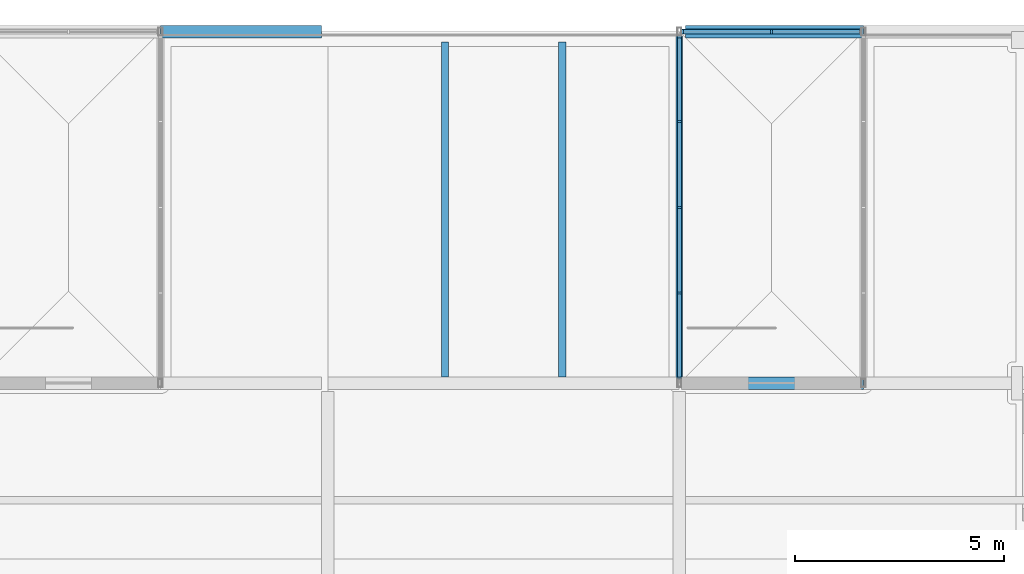
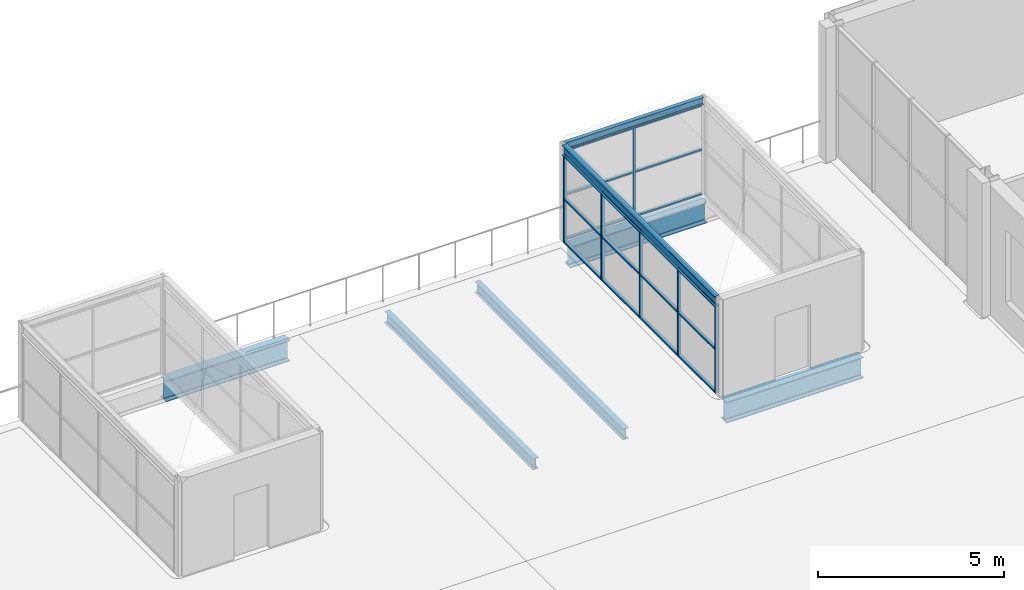
# One storey, part 29 of 58: 25 members, 7 beams, 2 elements without a shape of their own.
"""IFC4 building model written with IfcOpenShell, lengths in metres."""

from ifc_helpers import new_model, si_unit, direction, frame, origin, origin_2d, place, context, subcontext, project, spatial, rectangle, i_section, extrude, material, layer, layer_set, material_profile, profile_set, type_object, element, aggregate, save


model = new_model("IFC4")

# Units and contexts
model_context = context("Model", 3, precision=1e-05, world=origin(), true_north=direction((0.0, 1.0)))
body_context = subcontext(model_context, "Body", "Model", "MODEL_VIEW")
ifc_project = project(units=[si_unit("LENGTHUNIT", "METRE"), si_unit("AREAUNIT", "SQUARE_METRE"), si_unit("VOLUMEUNIT", "CUBIC_METRE"), si_unit("PLANEANGLEUNIT", "RADIAN"), si_unit("MASSUNIT", "GRAM", prefix="KILO")], contexts=[model_context])

# Site, building, storey
site_placement = place(None, origin())
site = spatial("IfcSite", under=ifc_project, at=site_placement, CompositionType="ELEMENT")
building_placement = place(site_placement, origin())
building = spatial("IfcBuilding", under=site, at=building_placement, Name="Galleria Vessillo Department Store", CompositionType="ELEMENT")
storey_placement = place(building_placement, frame((0.0, 0.0, 31.199951171875)))
storey = spatial("IfcBuildingStorey", under=building, at=storey_placement, Name="L06", CompositionType="ELEMENT", Elevation=31.199951171875)

# Curtain wall, members
ifc_material_1 = material(Name="Aluminium and glass curtain wall", Category="aluminium")
ifc_layer = layer(ifc_material_1, 0.10009765625)
ifc_layer_set = layer_set([ifc_layer], Name="Aluminium and glass curtain wall")
curtain_wall_type = type_object("IfcCurtainWallType", Name="Pavilion curtain wall CW5 2100 module", PredefinedType="NOTDEFINED", material=ifc_layer_set)
curtain_wall_1_placement = place(storey_placement, origin())
curtain_wall_1 = element("IfcCurtainWall", 1, at=curtain_wall_1_placement, inside=storey, type_object=curtain_wall_type, Name="Pavilion curtain wall CW5 2100 module PV-ST6-A", PredefinedType="NOTDEFINED")
ifc_material_2 = material(Name="Aluminium alloy 6063 T6", Category="aluminium")
ifc_material_profile_1 = material_profile(ifc_material_2, rectangle(XDim=0.10009765625, YDim=0.050048828125, at=origin_2d()), Name="AL 50x100")
ifc_profile_set_1 = profile_set([ifc_material_profile_1], Name="Aluminium alloy 6063 T6")
member_type_1 = type_object("IfcMemberType", Name="Aluminium mullion 50 x 100", PredefinedType="MULLION", material=ifc_profile_set_1)
member_1_placement = place(storey_placement, frame((75.60009765625, 54.72509765625, 0.0), z_axis=(0.0, 0.0, 1.0), x_axis=(-1.0, 0.0, 0.0)))
member_1 = element("IfcMember", 2, at=member_1_placement, type_object=member_type_1, Name="CW5 mullion 1", PredefinedType="MULLION", context=body_context, shape_type="SweptSolid", body=[
    extrude(rectangle(XDim=0.10009765625, YDim=0.050048828125, at=origin_2d()), origin(), (0.0, 0.0, 1.0), 2.8701171875),
])
member_2_placement = place(storey_placement, frame((75.60009765625, 56.75, 0.0), z_axis=(0.0, 0.0, 1.0), x_axis=(-1.0, 0.0, 0.0)))
member_2 = element("IfcMember", 3, at=member_2_placement, type_object=member_type_1, Name="CW5 mullion 2", PredefinedType="MULLION", context=body_context, shape_type="SweptSolid", body=[
    extrude(rectangle(XDim=0.10009765625, YDim=0.050048828125, at=origin_2d()), origin(), (0.0, 0.0, 1.0), 2.8701171875),
])
member_3_placement = place(storey_placement, frame((75.60009765625, 58.800048828125, 0.0), z_axis=(0.0, 0.0, 1.0), x_axis=(-1.0, 0.0, 0.0)))
member_3 = element("IfcMember", 4, at=member_3_placement, type_object=member_type_1, Name="CW5 mullion 3", PredefinedType="MULLION", context=body_context, shape_type="SweptSolid", body=[
    extrude(rectangle(XDim=0.10009765625, YDim=0.050048828125, at=origin_2d()), origin(), (0.0, 0.0, 1.0), 2.8701171875),
])
member_4_placement = place(storey_placement, frame((75.60009765625, 60.85009765625, 0.0), z_axis=(0.0, 0.0, 1.0), x_axis=(-1.0, 0.0, 0.0)))
member_4 = element("IfcMember", 5, at=member_4_placement, type_object=member_type_1, Name="CW5 mullion 4", PredefinedType="MULLION", context=body_context, shape_type="SweptSolid", body=[
    extrude(rectangle(XDim=0.10009765625, YDim=0.050048828125, at=origin_2d()), origin(), (0.0, 0.0, 1.0), 2.8701171875),
])
member_5_placement = place(storey_placement, frame((75.60009765625, 62.875, 0.0), z_axis=(0.0, 0.0, 1.0), x_axis=(-1.0, 0.0, 0.0)))
member_5 = element("IfcMember", 6, at=member_5_placement, type_object=member_type_1, Name="CW5 mullion 5", PredefinedType="MULLION", context=body_context, shape_type="SweptSolid", body=[
    extrude(rectangle(XDim=0.10009765625, YDim=0.050048828125, at=origin_2d()), origin(), (0.0, 0.0, 1.0), 2.8701171875),
])

curtain_wall_2_placement = place(storey_placement, origin())
curtain_wall_2 = element("IfcCurtainWall", 7, at=curtain_wall_2_placement, inside=storey, type_object=curtain_wall_type, Name="Pavilion curtain wall CW5 2100 module PV-ST6-F", PredefinedType="NOTDEFINED")
member_6_placement = place(storey_placement, frame((75.675048828125, 63.0, 0.0), z_axis=(0.0, 0.0, 1.0), x_axis=(0.0, 1.0, 0.0)))
member_6 = element("IfcMember", 8, at=member_6_placement, type_object=member_type_1, Name="CW5 mullion 1", PredefinedType="MULLION", context=body_context, shape_type="SweptSolid", body=[
    extrude(rectangle(XDim=0.10009765625, YDim=0.050048828125, at=origin_2d()), origin(), (0.0, 0.0, 1.0), 2.960205078125),
])
member_7_placement = place(storey_placement, frame((77.800048828125, 63.0, 0.0), z_axis=(0.0, 0.0, 1.0), x_axis=(0.0, 1.0, 0.0)))
member_7 = element("IfcMember", 9, at=member_7_placement, type_object=member_type_1, Name="CW5 mullion 2", PredefinedType="MULLION", context=body_context, shape_type="SweptSolid", body=[
    extrude(rectangle(XDim=0.10009765625, YDim=0.050048828125, at=origin_2d()), origin(), (0.0, 0.0, 1.0), 2.960205078125),
])

# Member
ifc_material_3 = material(Name="Aluminium alloy 6063 T6", Category="aluminium")
ifc_material_profile_2 = material_profile(ifc_material_3, rectangle(XDim=0.10009765625, YDim=0.050048828125, at=origin_2d()), Name="AL 50x100")
ifc_profile_set_2 = profile_set([ifc_material_profile_2], Name="Aluminium alloy 6063 T6")
member_type_2 = type_object("IfcMemberType", Name="Aluminium transom 50 x 100", PredefinedType="USERDEFINED", material=ifc_profile_set_2)
member_8_placement = place(storey_placement, frame((75.60009765625, 54.75, 0.025146484375), z_axis=(0.0, 1.0, 0.0), x_axis=(-1.0, 0.0, 0.0)))
member_8 = element("IfcMember", 10, at=member_8_placement, type_object=member_type_2, Name="CW5 transom 1.1", ObjectType="TRANSOM", PredefinedType="USERDEFINED", context=body_context, shape_type="SweptSolid", body=[
    extrude(rectangle(XDim=0.10009765625, YDim=0.050048828125, at=origin_2d()), origin(), (0.0, 0.0, 1.0), 1.97509765625),
])

member_9_placement = place(storey_placement, frame((75.60009765625, 54.75, 1.43505859375), z_axis=(0.0, 1.0, 0.0), x_axis=(-1.0, 0.0, 0.0)))
member_9 = element("IfcMember", 11, at=member_9_placement, type_object=member_type_2, Name="CW5 transom 1.2", ObjectType="TRANSOM", PredefinedType="USERDEFINED", context=body_context, shape_type="SweptSolid", body=[
    extrude(rectangle(XDim=0.10009765625, YDim=0.050048828125, at=origin_2d()), origin(), (0.0, 0.0, 1.0), 1.97509765625),
])

member_10_placement = place(storey_placement, frame((75.60009765625, 54.75, 2.84521484375), z_axis=(0.0, 1.0, 0.0), x_axis=(-1.0, 0.0, 0.0)))
member_10 = element("IfcMember", 12, at=member_10_placement, type_object=member_type_2, Name="CW5 transom 1.3", ObjectType="TRANSOM", PredefinedType="USERDEFINED", context=body_context, shape_type="SweptSolid", body=[
    extrude(rectangle(XDim=0.10009765625, YDim=0.050048828125, at=origin_2d()), origin(), (0.0, 0.0, 1.0), 1.97509765625),
])

member_11_placement = place(storey_placement, frame((75.60009765625, 56.775146484375, 0.025146484375), z_axis=(0.0, 1.0, 0.0), x_axis=(-1.0, 0.0, 0.0)))
member_11 = element("IfcMember", 13, at=member_11_placement, type_object=member_type_2, Name="CW5 transom 2.1", ObjectType="TRANSOM", PredefinedType="USERDEFINED", context=body_context, shape_type="SweptSolid", body=[
    extrude(rectangle(XDim=0.10009765625, YDim=0.050048828125, at=origin_2d()), origin(), (0.0, 0.0, 1.0), 2.0),
])

member_12_placement = place(storey_placement, frame((75.60009765625, 56.775146484375, 1.43505859375), z_axis=(0.0, 1.0, 0.0), x_axis=(-1.0, 0.0, 0.0)))
member_12 = element("IfcMember", 14, at=member_12_placement, type_object=member_type_2, Name="CW5 transom 2.2", ObjectType="TRANSOM", PredefinedType="USERDEFINED", context=body_context, shape_type="SweptSolid", body=[
    extrude(rectangle(XDim=0.10009765625, YDim=0.050048828125, at=origin_2d()), origin(), (0.0, 0.0, 1.0), 2.0),
])

member_13_placement = place(storey_placement, frame((75.60009765625, 56.775146484375, 2.84521484375), z_axis=(0.0, 1.0, 0.0), x_axis=(-1.0, 0.0, 0.0)))
member_13 = element("IfcMember", 15, at=member_13_placement, type_object=member_type_2, Name="CW5 transom 2.3", ObjectType="TRANSOM", PredefinedType="USERDEFINED", context=body_context, shape_type="SweptSolid", body=[
    extrude(rectangle(XDim=0.10009765625, YDim=0.050048828125, at=origin_2d()), origin(), (0.0, 0.0, 1.0), 2.0),
])

member_14_placement = place(storey_placement, frame((75.60009765625, 58.824951171875, 0.025146484375), z_axis=(0.0, 1.0, 0.0), x_axis=(-1.0, 0.0, 0.0)))
member_14 = element("IfcMember", 16, at=member_14_placement, type_object=member_type_2, Name="CW5 transom 3.1", ObjectType="TRANSOM", PredefinedType="USERDEFINED", context=body_context, shape_type="SweptSolid", body=[
    extrude(rectangle(XDim=0.10009765625, YDim=0.050048828125, at=origin_2d()), origin(), (0.0, 0.0, 1.0), 2.0),
])

member_15_placement = place(storey_placement, frame((75.60009765625, 58.824951171875, 1.43505859375), z_axis=(0.0, 1.0, 0.0), x_axis=(-1.0, 0.0, 0.0)))
member_15 = element("IfcMember", 17, at=member_15_placement, type_object=member_type_2, Name="CW5 transom 3.2", ObjectType="TRANSOM", PredefinedType="USERDEFINED", context=body_context, shape_type="SweptSolid", body=[
    extrude(rectangle(XDim=0.10009765625, YDim=0.050048828125, at=origin_2d()), origin(), (0.0, 0.0, 1.0), 2.0),
])

member_16_placement = place(storey_placement, frame((75.60009765625, 58.824951171875, 2.84521484375), z_axis=(0.0, 1.0, 0.0), x_axis=(-1.0, 0.0, 0.0)))
member_16 = element("IfcMember", 18, at=member_16_placement, type_object=member_type_2, Name="CW5 transom 3.3", ObjectType="TRANSOM", PredefinedType="USERDEFINED", context=body_context, shape_type="SweptSolid", body=[
    extrude(rectangle(XDim=0.10009765625, YDim=0.050048828125, at=origin_2d()), origin(), (0.0, 0.0, 1.0), 2.0),
])

member_17_placement = place(storey_placement, frame((75.60009765625, 60.875, 0.025146484375), z_axis=(0.0, 1.0, 0.0), x_axis=(-1.0, 0.0, 0.0)))
member_17 = element("IfcMember", 19, at=member_17_placement, type_object=member_type_2, Name="CW5 transom 4.1", ObjectType="TRANSOM", PredefinedType="USERDEFINED", context=body_context, shape_type="SweptSolid", body=[
    extrude(rectangle(XDim=0.10009765625, YDim=0.050048828125, at=origin_2d()), origin(), (0.0, 0.0, 1.0), 1.97509765625),
])

member_18_placement = place(storey_placement, frame((75.60009765625, 60.875, 1.43505859375), z_axis=(0.0, 1.0, 0.0), x_axis=(-1.0, 0.0, 0.0)))
member_18 = element("IfcMember", 20, at=member_18_placement, type_object=member_type_2, Name="CW5 transom 4.2", ObjectType="TRANSOM", PredefinedType="USERDEFINED", context=body_context, shape_type="SweptSolid", body=[
    extrude(rectangle(XDim=0.10009765625, YDim=0.050048828125, at=origin_2d()), origin(), (0.0, 0.0, 1.0), 1.97509765625),
])

member_19_placement = place(storey_placement, frame((75.60009765625, 60.875, 2.84521484375), z_axis=(0.0, 1.0, 0.0), x_axis=(-1.0, 0.0, 0.0)))
member_19 = element("IfcMember", 21, at=member_19_placement, type_object=member_type_2, Name="CW5 transom 4.3", ObjectType="TRANSOM", PredefinedType="USERDEFINED", context=body_context, shape_type="SweptSolid", body=[
    extrude(rectangle(XDim=0.10009765625, YDim=0.050048828125, at=origin_2d()), origin(), (0.0, 0.0, 1.0), 1.97509765625),
])

aggregate(curtain_wall_1, [member_1, member_2, member_3, member_4, member_5, member_8, member_9, member_10, member_11, member_12, member_13, member_14, member_15, member_16, member_17, member_18, member_19])

member_20_placement = place(storey_placement, frame((75.7001953125, 63.0, 0.025146484375), z_axis=(1.0, 0.0, 0.0), x_axis=(0.0, 1.0, 0.0)))
member_20 = element("IfcMember", 22, at=member_20_placement, type_object=member_type_2, Name="CW5 transom 1.1", ObjectType="TRANSOM", PredefinedType="USERDEFINED", context=body_context, shape_type="SweptSolid", body=[
    extrude(rectangle(XDim=0.10009765625, YDim=0.050048828125, at=origin_2d()), origin(), (0.0, 0.0, 1.0), 2.074951171875),
])

member_21_placement = place(storey_placement, frame((75.7001953125, 63.0, 1.480224609375), z_axis=(1.0, 0.0, 0.0), x_axis=(0.0, 1.0, 0.0)))
member_21 = element("IfcMember", 23, at=member_21_placement, type_object=member_type_2, Name="CW5 transom 1.2", ObjectType="TRANSOM", PredefinedType="USERDEFINED", context=body_context, shape_type="SweptSolid", body=[
    extrude(rectangle(XDim=0.10009765625, YDim=0.050048828125, at=origin_2d()), origin(), (0.0, 0.0, 1.0), 2.074951171875),
])

member_22_placement = place(storey_placement, frame((75.7001953125, 63.0, 2.935302734375), z_axis=(1.0, 0.0, 0.0), x_axis=(0.0, 1.0, 0.0)))
member_22 = element("IfcMember", 24, at=member_22_placement, type_object=member_type_2, Name="CW5 transom 1.3", ObjectType="TRANSOM", PredefinedType="USERDEFINED", context=body_context, shape_type="SweptSolid", body=[
    extrude(rectangle(XDim=0.10009765625, YDim=0.050048828125, at=origin_2d()), origin(), (0.0, 0.0, 1.0), 2.074951171875),
])

member_23_placement = place(storey_placement, frame((77.824951171875, 63.0, 0.025146484375), z_axis=(1.0, 0.0, 0.0), x_axis=(0.0, 1.0, 0.0)))
member_23 = element("IfcMember", 25, at=member_23_placement, type_object=member_type_2, Name="CW5 transom 2.1", ObjectType="TRANSOM", PredefinedType="USERDEFINED", context=body_context, shape_type="SweptSolid", body=[
    extrude(rectangle(XDim=0.10009765625, YDim=0.050048828125, at=origin_2d()), origin(), (0.0, 0.0, 1.0), 2.074951171875),
])

member_24_placement = place(storey_placement, frame((77.824951171875, 63.0, 1.480224609375), z_axis=(1.0, 0.0, 0.0), x_axis=(0.0, 1.0, 0.0)))
member_24 = element("IfcMember", 26, at=member_24_placement, type_object=member_type_2, Name="CW5 transom 2.2", ObjectType="TRANSOM", PredefinedType="USERDEFINED", context=body_context, shape_type="SweptSolid", body=[
    extrude(rectangle(XDim=0.10009765625, YDim=0.050048828125, at=origin_2d()), origin(), (0.0, 0.0, 1.0), 2.074951171875),
])

member_25_placement = place(storey_placement, frame((77.824951171875, 63.0, 2.935302734375), z_axis=(1.0, 0.0, 0.0), x_axis=(0.0, 1.0, 0.0)))
member_25 = element("IfcMember", 27, at=member_25_placement, type_object=member_type_2, Name="CW5 transom 2.3", ObjectType="TRANSOM", PredefinedType="USERDEFINED", context=body_context, shape_type="SweptSolid", body=[
    extrude(rectangle(XDim=0.10009765625, YDim=0.050048828125, at=origin_2d()), origin(), (0.0, 0.0, 1.0), 2.074951171875),
])

aggregate(curtain_wall_2, [member_6, member_7, member_20, member_21, member_22, member_23, member_24, member_25])

# Beams
ifc_material_4 = material(Name="Steel S355 J2", Category="steel")
ifc_material_profile_3 = material_profile(ifc_material_4, i_section(OverallWidth=0.169921875, OverallDepth=0.360107421875, WebThickness=0.008056640625, FlangeThickness=0.0126953125, FilletRadius=0.01806640625, at=origin_2d()), Name="IPE 360")
ifc_profile_set_3 = profile_set([ifc_material_profile_3], Name="Steel S355 J2")
beam_type_1 = type_object("IfcBeamType", Name="Floor joist IPE 360", PredefinedType="JOIST", material=ifc_profile_set_3)
for number, where, z_axis, x_axis, name in (
    (28, (70.0, 54.750244140625, -0.3798828125), (0.0, 1.0, 0.0), (-1.0, 0.0, 0.0), "S-BM-L06-JO-y70000-54750"),
    (29, (72.800048828125, 54.750244140625, -0.3798828125), (0.0, 1.0, 0.0), (-1.0, 0.0, 0.0), "S-BM-L06-JO-y72800-54750"),
):
    element("IfcBeam", number, at=place(storey_placement, frame(where, z_axis=z_axis, x_axis=x_axis)), inside=storey, type_object=beam_type_1, Name=name, PredefinedType="JOIST", context=body_context, shape_type="SweptSolid", body=[
        extrude(i_section(OverallWidth=0.169921875, OverallDepth=0.360107421875, WebThickness=0.008056640625, FlangeThickness=0.0126953125, FilletRadius=0.01806640625, at=origin_2d()), origin(), (0.0, 0.0, 1.0), 7.99951171875),
    ])
ifc_material_5 = material(Name="Steel S355 J2", Category="steel")
ifc_material_profile_4 = material_profile(ifc_material_5, i_section(OverallWidth=0.300048828125, OverallDepth=0.68994140625, WebThickness=0.014404296875, FlangeThickness=0.027099609375, FilletRadius=0.027099609375, at=origin_2d()), Name="HEA 700")
ifc_profile_set_4 = profile_set([ifc_material_profile_4], Name="Steel S355 J2")
beam_type_2 = type_object("IfcBeamType", Name="Pavilion base beam HEA 700", PredefinedType="BEAM", material=ifc_profile_set_4)
for number, where, z_axis, x_axis, name in (
    (30, (75.750244140625, 63.0, -0.544921875), (1.0, 0.0, 0.0), (0.0, 1.0, 0.0), "S-BB-ST6-PE1"),
    (31, (75.750244140625, 54.60009765625, -0.544921875), (1.0, 0.0, 0.0), (0.0, 1.0, 0.0), "S-BB-ST6-DE1"),
):
    element("IfcBeam", number, at=place(storey_placement, frame(where, z_axis=z_axis, x_axis=x_axis)), inside=storey, type_object=beam_type_2, Name=name, PredefinedType="BEAM", context=body_context, shape_type="SweptSolid", body=[
        extrude(i_section(OverallWidth=0.300048828125, OverallDepth=0.68994140625, WebThickness=0.014404296875, FlangeThickness=0.027099609375, FilletRadius=0.027099609375, at=origin_2d()), origin(), (0.0, 0.0, 1.0), 4.24951171875),
    ])
beam_1_placement = place(storey_placement, frame((63.2001953125, 63.0, -0.544921875), z_axis=(1.0, 0.0, 0.0), x_axis=(0.0, 1.0, 0.0)))
element("IfcBeam", 32, at=beam_1_placement, inside=storey, type_object=beam_type_2, Name="S-BB-ST11-PE2", PredefinedType="BEAM", context=body_context, shape_type="SweptSolid", body=[
    extrude(i_section(OverallWidth=0.300048828125, OverallDepth=0.68994140625, WebThickness=0.014404296875, FlangeThickness=0.027099609375, FilletRadius=0.027099609375, at=origin_2d()), origin(), (0.0, 0.0, 1.0), 3.849609375),
])
ifc_material_6 = material(Name="Steel S355 J2", Category="steel")
ifc_material_profile_5 = material_profile(ifc_material_6, i_section(OverallWidth=0.1201171875, OverallDepth=0.239990234375, WebThickness=0.006103515625, FlangeThickness=0.009765625, FilletRadius=0.014892578125, at=origin_2d()), Name="IPE 240")
ifc_profile_set_5 = profile_set([ifc_material_profile_5], Name="Steel S355 J2")
beam_type_3 = type_object("IfcBeamType", Name="Roof end beam IPE 240", PredefinedType="BEAM", material=ifc_profile_set_5)
beam_2_placement = place(storey_placement, frame((75.650146484375, 63.0, 3.080078125), z_axis=(1.0, 0.0, 0.0), x_axis=(0.0, 1.0, 0.0)))
element("IfcBeam", 33, at=beam_2_placement, inside=storey, type_object=beam_type_3, Name="S-RB-ST6-P", PredefinedType="BEAM", context=body_context, shape_type="SweptSolid", body=[
    extrude(i_section(OverallWidth=0.1201171875, OverallDepth=0.239990234375, WebThickness=0.006103515625, FlangeThickness=0.009765625, FilletRadius=0.014892578125, at=origin_2d()), origin(), (0.0, 0.0, 1.0), 4.2998046875),
])
ifc_material_7 = material(Name="Steel S355 J2", Category="steel")
ifc_material_profile_6 = material_profile(ifc_material_7, i_section(OverallWidth=0.159912109375, OverallDepth=0.330078125, WebThickness=0.007568359375, FlangeThickness=0.011474609375, FilletRadius=0.01806640625, at=origin_2d()), Name="IPE 330")
ifc_profile_set_6 = profile_set([ifc_material_profile_6], Name="Steel S355 J2")
beam_type_4 = type_object("IfcBeamType", Name="Roof side beam IPE 330", PredefinedType="BEAM", material=ifc_profile_set_6)
beam_3_placement = place(storey_placement, frame((75.60009765625, 62.89990234375, 3.03515625), z_axis=(0.0, -1.0, 0.0), x_axis=(1.0, 0.0, 0.0)))
element("IfcBeam", 34, at=beam_3_placement, inside=storey, type_object=beam_type_4, Name="S-RB-ST6-W", PredefinedType="BEAM", context=body_context, shape_type="SweptSolid", body=[
    extrude(i_section(OverallWidth=0.159912109375, OverallDepth=0.330078125, WebThickness=0.007568359375, FlangeThickness=0.011474609375, FilletRadius=0.01806640625, at=origin_2d()), origin(), (0.0, 0.0, 1.0), 8.19970703125),
])

save(model, "model.ifc")
